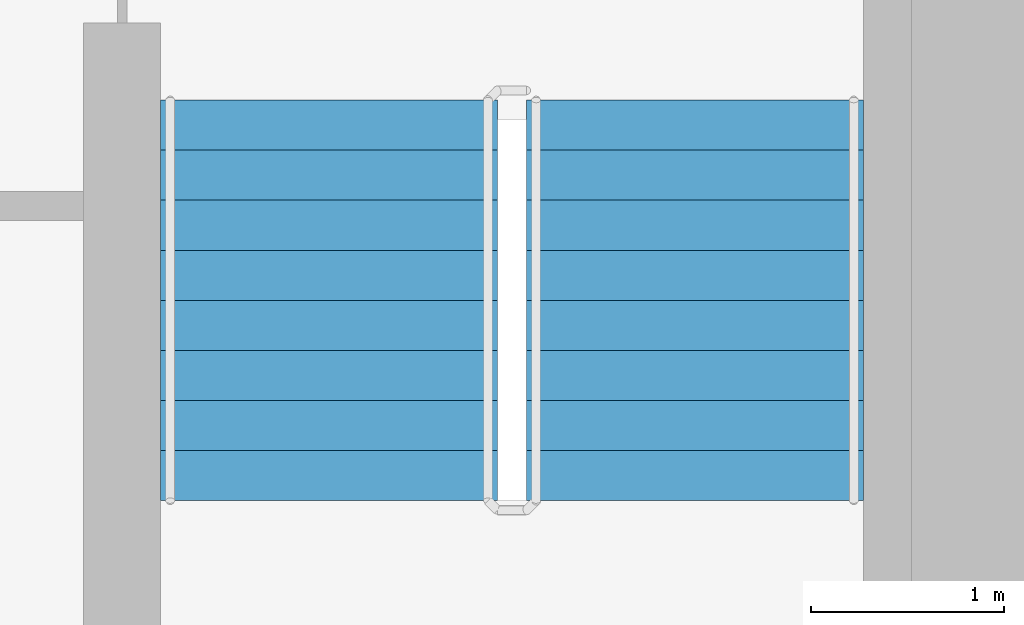
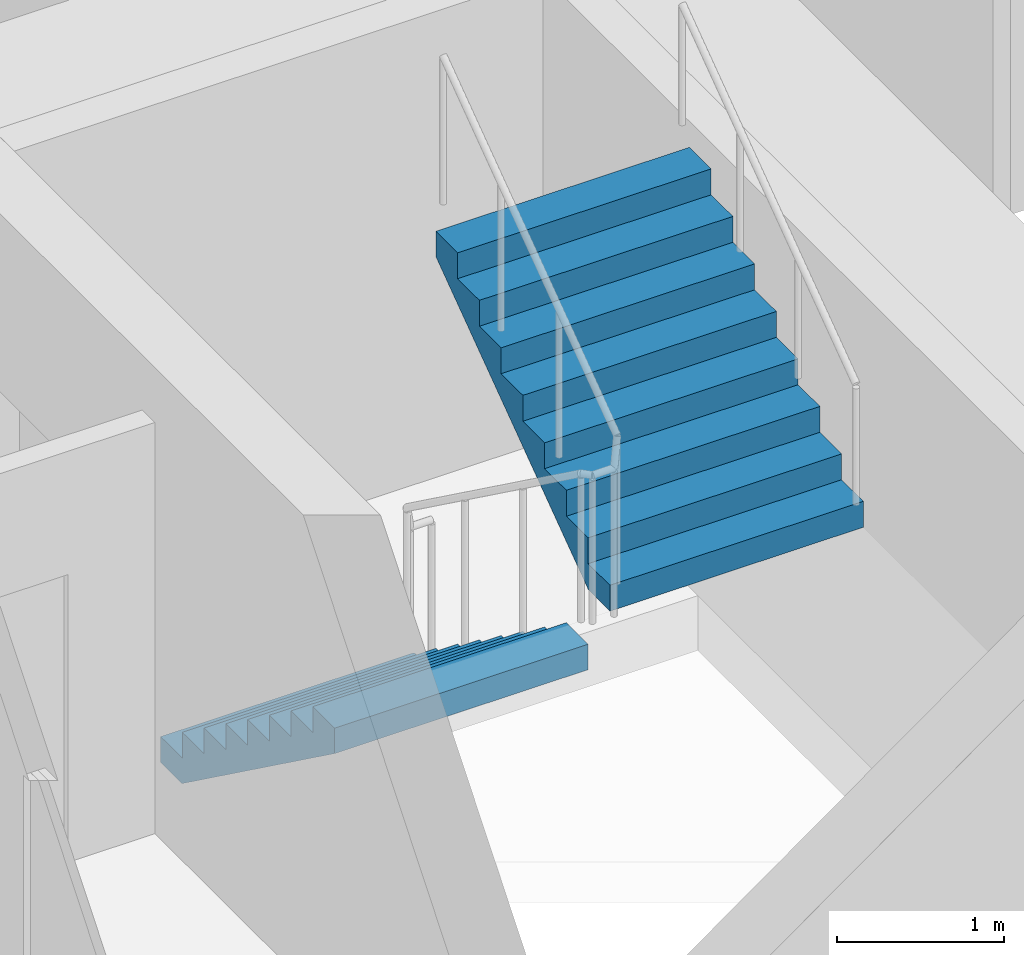
# One storey, part 16 of 20: 2 stair flights, 1 element without a shape of its own.
"""IFC4 building model written with IfcOpenShell, lengths in metres."""

from ifc_helpers import new_model, si_unit, direction, frame, origin, place, context, subcontext, project, spatial, faceted_brep, material, type_object, element, aggregate, save


model = new_model("IFC4")

# Units and contexts
model_context = context("Model", 3, precision=1e-05, world=origin(), true_north=direction((0.0, 1.0)))
body_context = subcontext(model_context, "Body", "Model", "MODEL_VIEW")
ifc_project = project(units=[si_unit("LENGTHUNIT", "METRE"), si_unit("AREAUNIT", "SQUARE_METRE"), si_unit("VOLUMEUNIT", "CUBIC_METRE"), si_unit("PLANEANGLEUNIT", "RADIAN"), si_unit("MASSUNIT", "GRAM", prefix="KILO")], contexts=[model_context])

# Site, building, storey
site_placement = place(None, origin())
site = spatial("IfcSite", under=ifc_project, at=site_placement, CompositionType="ELEMENT")
building_placement = place(site_placement, origin())
building = spatial("IfcBuilding", under=site, at=building_placement, Name="Ipe Terrace Towers", CompositionType="ELEMENT")
storey_placement = place(building_placement, frame((0.0, 0.0, 120.800048828125)))
storey = spatial("IfcBuildingStorey", under=building, at=storey_placement, Name="L33", CompositionType="ELEMENT", Elevation=120.800048828125)

# Stair, stair flights
ifc_material_1 = material(Name="Concrete C30/37", Category="concrete")
stair_type = type_object("IfcStairType", Name="Protected exit stair", PredefinedType="HALF_TURN_STAIR", material=ifc_material_1)
stair_placement = place(storey_placement, origin())
stair = element("IfcStair", 1, at=stair_placement, inside=storey, type_object=stair_type, Name="L33 Exit stair T2-C2", PredefinedType="HALF_TURN_STAIR")
ifc_material_2 = material(Name="Concrete C30/37", Category="concrete")
stair_flight_type = type_object("IfcStairFlightType", Name="Exit stair flight 1750", PredefinedType="STRAIGHT", material=ifc_material_2)
stair_flight_1_placement = place(storey_placement, frame((38.77490234375, -9.699951171875, 0.0), z_axis=(0.0, 0.0, 1.0), x_axis=(0.0, -1.0, 0.0)))
stair_flight_1 = element("IfcStairFlight", 2, at=stair_flight_1_placement, type_object=stair_flight_type, Name="T2-ST2 flight 1", NumberOfRisers=9, NumberOfTreads=8, PredefinedType="STRAIGHT", RiserHeight=0.188888889, TreadLength=0.26, context=body_context, shape_type="Brep", body=[
    faceted_brep([(0.255126953125, -0.875, 0.0), (2.080078125, -0.875, 1.325927734375), (2.080078125, -0.875, 1.51123046875), (1.820068359375, -0.875, 1.51123046875), (1.820068359375, -0.875, 1.322265625), (1.56005859375, -0.875, 1.322265625), (1.56005859375, -0.875, 1.13330078125), (1.300048828125, -0.875, 1.13330078125), (1.300048828125, -0.875, 0.9443359375), (1.0400390625, -0.875, 0.9443359375), (1.0400390625, -0.875, 0.755615234375), (0.780029296875, -0.875, 0.755615234375), (0.780029296875, -0.875, 0.566650390625), (0.52001953125, -0.875, 0.566650390625), (0.52001953125, -0.875, 0.377685546875), (0.260009765625, -0.875, 0.377685546875), (0.260009765625, -0.875, 0.18896484375), (0.0, -0.875, 0.18896484375), (0.0, -0.875, 0.0), (0.0, 0.875, 0.0), (0.0, 0.875, 0.18896484375), (0.260009765625, 0.875, 0.18896484375), (0.260009765625, 0.875, 0.377685546875), (0.52001953125, 0.875, 0.377685546875), (0.52001953125, 0.875, 0.566650390625), (0.780029296875, 0.875, 0.566650390625), (0.780029296875, 0.875, 0.755615234375), (1.0400390625, 0.875, 0.755615234375), (1.0400390625, 0.875, 0.9443359375), (1.300048828125, 0.875, 0.9443359375), (1.300048828125, 0.875, 1.13330078125), (1.56005859375, 0.875, 1.13330078125), (1.56005859375, 0.875, 1.322265625), (1.820068359375, 0.875, 1.322265625), (1.820068359375, 0.875, 1.51123046875), (2.080078125, 0.875, 1.51123046875), (2.080078125, 0.875, 1.325927734375), (0.255126953125, 0.875, 0.0), (0.0, -0.300048828125, 0.18896484375), (0.0, -0.1201171875, 0.18896484375), (0.0, -0.06005859375, 0.18896484375), (0.0, -0.030029296875, 0.18896484375), (0.0, -0.010009765625, 0.18896484375), (0.0, 0.0, 0.18896484375), (0.0, 0.010009765625, 0.18896484375), (0.0, 0.030029296875, 0.18896484375), (0.0, 0.06005859375, 0.18896484375), (0.0, 0.1201171875, 0.18896484375), (0.0, 0.300048828125, 0.18896484375), (0.0, 0.300048828125, 0.0), (0.0, 0.1201171875, 0.0), (0.0, 0.06005859375, 0.0), (0.0, 0.030029296875, 0.0), (0.0, 0.010009765625, 0.0), (0.0, 0.0, 0.0), (0.0, -0.010009765625, 0.0), (0.0, -0.030029296875, 0.0), (0.0, -0.06005859375, 0.0), (0.0, -0.1201171875, 0.0), (0.0, -0.300048828125, 0.0), (0.260009765625, -0.300048828125, 0.18896484375), (0.260009765625, -0.1201171875, 0.18896484375), (0.260009765625, -0.06005859375, 0.18896484375), (0.260009765625, -0.030029296875, 0.18896484375), (0.260009765625, -0.010009765625, 0.18896484375), (0.260009765625, 0.0, 0.18896484375), (0.260009765625, 0.010009765625, 0.18896484375), (0.260009765625, 0.030029296875, 0.18896484375), (0.260009765625, 0.06005859375, 0.18896484375), (0.260009765625, 0.1201171875, 0.18896484375), (0.260009765625, 0.300048828125, 0.18896484375), (0.260009765625, -0.300048828125, 0.377685546875), (0.260009765625, -0.1201171875, 0.377685546875), (0.260009765625, -0.06005859375, 0.377685546875), (0.260009765625, -0.030029296875, 0.377685546875), (0.260009765625, -0.010009765625, 0.377685546875), (0.260009765625, 0.0, 0.377685546875), (0.260009765625, 0.010009765625, 0.377685546875), (0.260009765625, 0.030029296875, 0.377685546875), (0.260009765625, 0.06005859375, 0.377685546875), (0.260009765625, 0.1201171875, 0.377685546875), (0.260009765625, 0.300048828125, 0.377685546875), (0.52001953125, -0.300048828125, 0.377685546875), (0.52001953125, -0.1201171875, 0.377685546875), (0.52001953125, -0.06005859375, 0.377685546875), (0.52001953125, -0.030029296875, 0.377685546875), (0.52001953125, -0.010009765625, 0.377685546875), (0.52001953125, 0.0, 0.377685546875), (0.52001953125, 0.010009765625, 0.377685546875), (0.52001953125, 0.030029296875, 0.377685546875), (0.52001953125, 0.06005859375, 0.377685546875), (0.52001953125, 0.1201171875, 0.377685546875), (0.52001953125, 0.300048828125, 0.377685546875), (0.52001953125, -0.300048828125, 0.566650390625), (0.52001953125, -0.1201171875, 0.566650390625), (0.52001953125, -0.06005859375, 0.566650390625), (0.52001953125, -0.030029296875, 0.566650390625), (0.52001953125, -0.010009765625, 0.566650390625), (0.52001953125, 0.0, 0.566650390625), (0.52001953125, 0.010009765625, 0.566650390625), (0.52001953125, 0.030029296875, 0.566650390625), (0.52001953125, 0.06005859375, 0.566650390625), (0.52001953125, 0.1201171875, 0.566650390625), (0.52001953125, 0.300048828125, 0.566650390625), (0.780029296875, -0.300048828125, 0.566650390625), (0.780029296875, -0.1201171875, 0.566650390625), (0.780029296875, -0.06005859375, 0.566650390625), (0.780029296875, -0.030029296875, 0.566650390625), (0.780029296875, -0.010009765625, 0.566650390625), (0.780029296875, 0.0, 0.566650390625), (0.780029296875, 0.010009765625, 0.566650390625), (0.780029296875, 0.030029296875, 0.566650390625), (0.780029296875, 0.06005859375, 0.566650390625), (0.780029296875, 0.1201171875, 0.566650390625), (0.780029296875, 0.300048828125, 0.566650390625), (0.780029296875, -0.300048828125, 0.755615234375), (0.780029296875, -0.1201171875, 0.755615234375), (0.780029296875, -0.06005859375, 0.755615234375), (0.780029296875, -0.030029296875, 0.755615234375), (0.780029296875, -0.010009765625, 0.755615234375), (0.780029296875, 0.0, 0.755615234375), (0.780029296875, 0.010009765625, 0.755615234375), (0.780029296875, 0.030029296875, 0.755615234375), (0.780029296875, 0.06005859375, 0.755615234375), (0.780029296875, 0.1201171875, 0.755615234375), (0.780029296875, 0.300048828125, 0.755615234375), (1.0400390625, -0.300048828125, 0.755615234375), (1.0400390625, -0.1201171875, 0.755615234375), (1.0400390625, -0.06005859375, 0.755615234375), (1.0400390625, -0.030029296875, 0.755615234375), (1.0400390625, -0.010009765625, 0.755615234375), (1.0400390625, 0.0, 0.755615234375), (1.0400390625, 0.010009765625, 0.755615234375), (1.0400390625, 0.030029296875, 0.755615234375), (1.0400390625, 0.06005859375, 0.755615234375), (1.0400390625, 0.1201171875, 0.755615234375), (1.0400390625, 0.300048828125, 0.755615234375), (1.0400390625, -0.300048828125, 0.9443359375), (1.0400390625, -0.1201171875, 0.9443359375), (1.0400390625, -0.06005859375, 0.9443359375), (1.0400390625, -0.030029296875, 0.9443359375), (1.0400390625, -0.010009765625, 0.9443359375), (1.0400390625, 0.0, 0.9443359375), (1.0400390625, 0.010009765625, 0.9443359375), (1.0400390625, 0.030029296875, 0.9443359375), (1.0400390625, 0.06005859375, 0.9443359375), (1.0400390625, 0.1201171875, 0.9443359375), (1.0400390625, 0.300048828125, 0.9443359375), (1.300048828125, -0.300048828125, 0.9443359375), (1.300048828125, -0.1201171875, 0.9443359375), (1.300048828125, -0.06005859375, 0.9443359375), (1.300048828125, -0.030029296875, 0.9443359375), (1.300048828125, -0.010009765625, 0.9443359375), (1.300048828125, 0.0, 0.9443359375), (1.300048828125, 0.010009765625, 0.9443359375), (1.300048828125, 0.030029296875, 0.9443359375), (1.300048828125, 0.06005859375, 0.9443359375), (1.300048828125, 0.1201171875, 0.9443359375), (1.300048828125, 0.300048828125, 0.9443359375), (1.300048828125, -0.300048828125, 1.13330078125), (1.300048828125, -0.1201171875, 1.13330078125), (1.300048828125, -0.06005859375, 1.13330078125), (1.300048828125, -0.030029296875, 1.13330078125), (1.300048828125, -0.010009765625, 1.13330078125), (1.300048828125, 0.0, 1.13330078125), (1.300048828125, 0.010009765625, 1.13330078125), (1.300048828125, 0.030029296875, 1.13330078125), (1.300048828125, 0.06005859375, 1.13330078125), (1.300048828125, 0.1201171875, 1.13330078125), (1.300048828125, 0.300048828125, 1.13330078125), (1.56005859375, -0.300048828125, 1.13330078125), (1.56005859375, -0.1201171875, 1.13330078125), (1.56005859375, -0.06005859375, 1.13330078125), (1.56005859375, -0.030029296875, 1.13330078125), (1.56005859375, -0.010009765625, 1.13330078125), (1.56005859375, 0.0, 1.13330078125), (1.56005859375, 0.010009765625, 1.13330078125), (1.56005859375, 0.030029296875, 1.13330078125), (1.56005859375, 0.06005859375, 1.13330078125), (1.56005859375, 0.1201171875, 1.13330078125), (1.56005859375, 0.300048828125, 1.13330078125), (1.56005859375, -0.300048828125, 1.322265625), (1.56005859375, -0.1201171875, 1.322265625), (1.56005859375, -0.06005859375, 1.322265625), (1.56005859375, -0.030029296875, 1.322265625), (1.56005859375, -0.010009765625, 1.322265625), (1.56005859375, 0.0, 1.322265625), (1.56005859375, 0.010009765625, 1.322265625), (1.56005859375, 0.030029296875, 1.322265625), (1.56005859375, 0.06005859375, 1.322265625), (1.56005859375, 0.1201171875, 1.322265625), (1.56005859375, 0.300048828125, 1.322265625), (1.820068359375, -0.300048828125, 1.322265625), (1.820068359375, -0.1201171875, 1.322265625), (1.820068359375, -0.06005859375, 1.322265625), (1.820068359375, -0.030029296875, 1.322265625), (1.820068359375, -0.010009765625, 1.322265625), (1.820068359375, 0.0, 1.322265625), (1.820068359375, 0.010009765625, 1.322265625), (1.820068359375, 0.030029296875, 1.322265625), (1.820068359375, 0.06005859375, 1.322265625), (1.820068359375, 0.1201171875, 1.322265625), (1.820068359375, 0.300048828125, 1.322265625), (1.820068359375, -0.300048828125, 1.51123046875), (1.820068359375, -0.1201171875, 1.51123046875), (1.820068359375, -0.06005859375, 1.51123046875), (1.820068359375, -0.030029296875, 1.51123046875), (1.820068359375, -0.010009765625, 1.51123046875), (1.820068359375, 0.0, 1.51123046875), (1.820068359375, 0.010009765625, 1.51123046875), (1.820068359375, 0.030029296875, 1.51123046875), (1.820068359375, 0.06005859375, 1.51123046875), (1.820068359375, 0.1201171875, 1.51123046875), (1.820068359375, 0.300048828125, 1.51123046875), (2.080078125, -0.300048828125, 1.51123046875), (2.080078125, -0.1201171875, 1.51123046875), (2.080078125, -0.06005859375, 1.51123046875), (2.080078125, -0.030029296875, 1.51123046875), (2.080078125, -0.010009765625, 1.51123046875), (2.080078125, 0.0, 1.51123046875), (2.080078125, 0.010009765625, 1.51123046875), (2.080078125, 0.030029296875, 1.51123046875), (2.080078125, 0.06005859375, 1.51123046875), (2.080078125, 0.1201171875, 1.51123046875), (2.080078125, 0.300048828125, 1.51123046875), (2.080078125, -0.300048828125, 1.325927734375), (2.080078125, -0.1201171875, 1.325927734375), (2.080078125, -0.06005859375, 1.325927734375), (2.080078125, -0.030029296875, 1.325927734375), (2.080078125, -0.010009765625, 1.325927734375), (2.080078125, 0.0, 1.325927734375), (2.080078125, 0.010009765625, 1.325927734375), (2.080078125, 0.030029296875, 1.325927734375), (2.080078125, 0.06005859375, 1.325927734375), (2.080078125, 0.1201171875, 1.325927734375), (2.080078125, 0.300048828125, 1.325927734375), (0.255126953125, -0.300048828125, 0.0), (0.255126953125, -0.1201171875, 0.0), (0.255126953125, -0.06005859375, 0.0), (0.255126953125, -0.030029296875, 0.0), (0.255126953125, -0.010009765625, 0.0), (0.255126953125, 0.0, 0.0), (0.255126953125, 0.010009765625, 0.0), (0.255126953125, 0.030029296875, 0.0), (0.255126953125, 0.06005859375, 0.0), (0.255126953125, 0.1201171875, 0.0), (0.255126953125, 0.300048828125, 0.0)], [[[0, 1, 2, 3, 4, 5, 6, 7, 8, 9, 10, 11, 12, 13, 14, 15, 16, 17, 18]], [[19, 20, 21, 22, 23, 24, 25, 26, 27, 28, 29, 30, 31, 32, 33, 34, 35, 36, 37]], [[17, 38, 39, 40, 41, 42, 43, 44, 45, 46, 47, 48, 20, 19, 49, 50, 51, 52, 53, 54, 55, 56, 57, 58, 59, 18]], [[16, 60, 61, 62, 63, 64, 65, 66, 67, 68, 69, 70, 21, 20, 48, 47, 46, 45, 44, 43, 42, 41, 40, 39, 38, 17]], [[15, 71, 72, 73, 74, 75, 76, 77, 78, 79, 80, 81, 22, 21, 70, 69, 68, 67, 66, 65, 64, 63, 62, 61, 60, 16]], [[14, 82, 83, 84, 85, 86, 87, 88, 89, 90, 91, 92, 23, 22, 81, 80, 79, 78, 77, 76, 75, 74, 73, 72, 71, 15]], [[13, 93, 94, 95, 96, 97, 98, 99, 100, 101, 102, 103, 24, 23, 92, 91, 90, 89, 88, 87, 86, 85, 84, 83, 82, 14]], [[12, 104, 105, 106, 107, 108, 109, 110, 111, 112, 113, 114, 25, 24, 103, 102, 101, 100, 99, 98, 97, 96, 95, 94, 93, 13]], [[11, 115, 116, 117, 118, 119, 120, 121, 122, 123, 124, 125, 26, 25, 114, 113, 112, 111, 110, 109, 108, 107, 106, 105, 104, 12]], [[10, 126, 127, 128, 129, 130, 131, 132, 133, 134, 135, 136, 27, 26, 125, 124, 123, 122, 121, 120, 119, 118, 117, 116, 115, 11]], [[9, 137, 138, 139, 140, 141, 142, 143, 144, 145, 146, 147, 28, 27, 136, 135, 134, 133, 132, 131, 130, 129, 128, 127, 126, 10]], [[8, 148, 149, 150, 151, 152, 153, 154, 155, 156, 157, 158, 29, 28, 147, 146, 145, 144, 143, 142, 141, 140, 139, 138, 137, 9]], [[7, 159, 160, 161, 162, 163, 164, 165, 166, 167, 168, 169, 30, 29, 158, 157, 156, 155, 154, 153, 152, 151, 150, 149, 148, 8]], [[6, 170, 171, 172, 173, 174, 175, 176, 177, 178, 179, 180, 31, 30, 169, 168, 167, 166, 165, 164, 163, 162, 161, 160, 159, 7]], [[5, 181, 182, 183, 184, 185, 186, 187, 188, 189, 190, 191, 32, 31, 180, 179, 178, 177, 176, 175, 174, 173, 172, 171, 170, 6]], [[4, 192, 193, 194, 195, 196, 197, 198, 199, 200, 201, 202, 33, 32, 191, 190, 189, 188, 187, 186, 185, 184, 183, 182, 181, 5]], [[3, 203, 204, 205, 206, 207, 208, 209, 210, 211, 212, 213, 34, 33, 202, 201, 200, 199, 198, 197, 196, 195, 194, 193, 192, 4]], [[2, 214, 215, 216, 217, 218, 219, 220, 221, 222, 223, 224, 35, 34, 213, 212, 211, 210, 209, 208, 207, 206, 205, 204, 203, 3]], [[1, 225, 226, 227, 228, 229, 230, 231, 232, 233, 234, 235, 36, 35, 224, 223, 222, 221, 220, 219, 218, 217, 216, 215, 214, 2]], [[0, 236, 237, 238, 239, 240, 241, 242, 243, 244, 245, 246, 37, 36, 235, 234, 233, 232, 231, 230, 229, 228, 227, 226, 225, 1]], [[18, 59, 58, 57, 56, 55, 54, 53, 52, 51, 50, 49, 19, 37, 246, 245, 244, 243, 242, 241, 240, 239, 238, 237, 236, 0]]]),
])
stair_flight_2_placement = place(storey_placement, frame((40.675048828125, -11.780029296875, 1.699951171875), z_axis=(0.0, 0.0, 1.0), x_axis=(0.0, 1.0, 0.0)))
stair_flight_2 = element("IfcStairFlight", 3, at=stair_flight_2_placement, type_object=stair_flight_type, Name="T2-ST2 flight 2", NumberOfRisers=9, NumberOfTreads=8, PredefinedType="STRAIGHT", RiserHeight=0.188888889, TreadLength=0.26, context=body_context, shape_type="Brep", body=[
    faceted_brep([(0.255126953125, -0.875, 0.0), (2.080078125, -0.875, 1.325927734375), (2.080078125, -0.875, 1.51123046875), (1.820068359375, -0.875, 1.51123046875), (1.820068359375, -0.875, 1.322265625), (1.56005859375, -0.875, 1.322265625), (1.56005859375, -0.875, 1.13330078125), (1.300048828125, -0.875, 1.13330078125), (1.300048828125, -0.875, 0.9443359375), (1.0400390625, -0.875, 0.9443359375), (1.0400390625, -0.875, 0.755615234375), (0.780029296875, -0.875, 0.755615234375), (0.780029296875, -0.875, 0.566650390625), (0.52001953125, -0.875, 0.566650390625), (0.52001953125, -0.875, 0.377685546875), (0.260009765625, -0.875, 0.377685546875), (0.260009765625, -0.875, 0.18896484375), (0.0, -0.875, 0.18896484375), (0.0, -0.875, 0.0), (0.0, 0.875, 0.0), (0.0, 0.875, 0.18896484375), (0.260009765625, 0.875, 0.18896484375), (0.260009765625, 0.875, 0.377685546875), (0.52001953125, 0.875, 0.377685546875), (0.52001953125, 0.875, 0.566650390625), (0.780029296875, 0.875, 0.566650390625), (0.780029296875, 0.875, 0.755615234375), (1.0400390625, 0.875, 0.755615234375), (1.0400390625, 0.875, 0.9443359375), (1.300048828125, 0.875, 0.9443359375), (1.300048828125, 0.875, 1.13330078125), (1.56005859375, 0.875, 1.13330078125), (1.56005859375, 0.875, 1.322265625), (1.820068359375, 0.875, 1.322265625), (1.820068359375, 0.875, 1.51123046875), (2.080078125, 0.875, 1.51123046875), (2.080078125, 0.875, 1.325927734375), (0.255126953125, 0.875, 0.0), (0.0, -0.300048828125, 0.18896484375), (0.0, -0.1201171875, 0.18896484375), (0.0, -0.06005859375, 0.18896484375), (0.0, -0.030029296875, 0.18896484375), (0.0, -0.010009765625, 0.18896484375), (0.0, 0.0, 0.18896484375), (0.0, 0.010009765625, 0.18896484375), (0.0, 0.030029296875, 0.18896484375), (0.0, 0.06005859375, 0.18896484375), (0.0, 0.1201171875, 0.18896484375), (0.0, 0.300048828125, 0.18896484375), (0.0, 0.300048828125, 0.0), (0.0, 0.1201171875, 0.0), (0.0, 0.06005859375, 0.0), (0.0, 0.030029296875, 0.0), (0.0, 0.010009765625, 0.0), (0.0, 0.0, 0.0), (0.0, -0.010009765625, 0.0), (0.0, -0.030029296875, 0.0), (0.0, -0.06005859375, 0.0), (0.0, -0.1201171875, 0.0), (0.0, -0.300048828125, 0.0), (0.260009765625, -0.300048828125, 0.18896484375), (0.260009765625, -0.1201171875, 0.18896484375), (0.260009765625, -0.06005859375, 0.18896484375), (0.260009765625, -0.030029296875, 0.18896484375), (0.260009765625, -0.010009765625, 0.18896484375), (0.260009765625, 0.0, 0.18896484375), (0.260009765625, 0.010009765625, 0.18896484375), (0.260009765625, 0.030029296875, 0.18896484375), (0.260009765625, 0.06005859375, 0.18896484375), (0.260009765625, 0.1201171875, 0.18896484375), (0.260009765625, 0.300048828125, 0.18896484375), (0.260009765625, -0.300048828125, 0.377685546875), (0.260009765625, -0.1201171875, 0.377685546875), (0.260009765625, -0.06005859375, 0.377685546875), (0.260009765625, -0.030029296875, 0.377685546875), (0.260009765625, -0.010009765625, 0.377685546875), (0.260009765625, 0.0, 0.377685546875), (0.260009765625, 0.010009765625, 0.377685546875), (0.260009765625, 0.030029296875, 0.377685546875), (0.260009765625, 0.06005859375, 0.377685546875), (0.260009765625, 0.1201171875, 0.377685546875), (0.260009765625, 0.300048828125, 0.377685546875), (0.52001953125, -0.300048828125, 0.377685546875), (0.52001953125, -0.1201171875, 0.377685546875), (0.52001953125, -0.06005859375, 0.377685546875), (0.52001953125, -0.030029296875, 0.377685546875), (0.52001953125, -0.010009765625, 0.377685546875), (0.52001953125, 0.0, 0.377685546875), (0.52001953125, 0.010009765625, 0.377685546875), (0.52001953125, 0.030029296875, 0.377685546875), (0.52001953125, 0.06005859375, 0.377685546875), (0.52001953125, 0.1201171875, 0.377685546875), (0.52001953125, 0.300048828125, 0.377685546875), (0.52001953125, -0.300048828125, 0.566650390625), (0.52001953125, -0.1201171875, 0.566650390625), (0.52001953125, -0.06005859375, 0.566650390625), (0.52001953125, -0.030029296875, 0.566650390625), (0.52001953125, -0.010009765625, 0.566650390625), (0.52001953125, 0.0, 0.566650390625), (0.52001953125, 0.010009765625, 0.566650390625), (0.52001953125, 0.030029296875, 0.566650390625), (0.52001953125, 0.06005859375, 0.566650390625), (0.52001953125, 0.1201171875, 0.566650390625), (0.52001953125, 0.300048828125, 0.566650390625), (0.780029296875, -0.300048828125, 0.566650390625), (0.780029296875, -0.1201171875, 0.566650390625), (0.780029296875, -0.06005859375, 0.566650390625), (0.780029296875, -0.030029296875, 0.566650390625), (0.780029296875, -0.010009765625, 0.566650390625), (0.780029296875, 0.0, 0.566650390625), (0.780029296875, 0.010009765625, 0.566650390625), (0.780029296875, 0.030029296875, 0.566650390625), (0.780029296875, 0.06005859375, 0.566650390625), (0.780029296875, 0.1201171875, 0.566650390625), (0.780029296875, 0.300048828125, 0.566650390625), (0.780029296875, -0.300048828125, 0.755615234375), (0.780029296875, -0.1201171875, 0.755615234375), (0.780029296875, -0.06005859375, 0.755615234375), (0.780029296875, -0.030029296875, 0.755615234375), (0.780029296875, -0.010009765625, 0.755615234375), (0.780029296875, 0.0, 0.755615234375), (0.780029296875, 0.010009765625, 0.755615234375), (0.780029296875, 0.030029296875, 0.755615234375), (0.780029296875, 0.06005859375, 0.755615234375), (0.780029296875, 0.1201171875, 0.755615234375), (0.780029296875, 0.300048828125, 0.755615234375), (1.0400390625, -0.300048828125, 0.755615234375), (1.0400390625, -0.1201171875, 0.755615234375), (1.0400390625, -0.06005859375, 0.755615234375), (1.0400390625, -0.030029296875, 0.755615234375), (1.0400390625, -0.010009765625, 0.755615234375), (1.0400390625, 0.0, 0.755615234375), (1.0400390625, 0.010009765625, 0.755615234375), (1.0400390625, 0.030029296875, 0.755615234375), (1.0400390625, 0.06005859375, 0.755615234375), (1.0400390625, 0.1201171875, 0.755615234375), (1.0400390625, 0.300048828125, 0.755615234375), (1.0400390625, -0.300048828125, 0.9443359375), (1.0400390625, -0.1201171875, 0.9443359375), (1.0400390625, -0.06005859375, 0.9443359375), (1.0400390625, -0.030029296875, 0.9443359375), (1.0400390625, -0.010009765625, 0.9443359375), (1.0400390625, 0.0, 0.9443359375), (1.0400390625, 0.010009765625, 0.9443359375), (1.0400390625, 0.030029296875, 0.9443359375), (1.0400390625, 0.06005859375, 0.9443359375), (1.0400390625, 0.1201171875, 0.9443359375), (1.0400390625, 0.300048828125, 0.9443359375), (1.300048828125, -0.300048828125, 0.9443359375), (1.300048828125, -0.1201171875, 0.9443359375), (1.300048828125, -0.06005859375, 0.9443359375), (1.300048828125, -0.030029296875, 0.9443359375), (1.300048828125, -0.010009765625, 0.9443359375), (1.300048828125, 0.0, 0.9443359375), (1.300048828125, 0.010009765625, 0.9443359375), (1.300048828125, 0.030029296875, 0.9443359375), (1.300048828125, 0.06005859375, 0.9443359375), (1.300048828125, 0.1201171875, 0.9443359375), (1.300048828125, 0.300048828125, 0.9443359375), (1.300048828125, -0.300048828125, 1.13330078125), (1.300048828125, -0.1201171875, 1.13330078125), (1.300048828125, -0.06005859375, 1.13330078125), (1.300048828125, -0.030029296875, 1.13330078125), (1.300048828125, -0.010009765625, 1.13330078125), (1.300048828125, 0.0, 1.13330078125), (1.300048828125, 0.010009765625, 1.13330078125), (1.300048828125, 0.030029296875, 1.13330078125), (1.300048828125, 0.06005859375, 1.13330078125), (1.300048828125, 0.1201171875, 1.13330078125), (1.300048828125, 0.300048828125, 1.13330078125), (1.56005859375, -0.300048828125, 1.13330078125), (1.56005859375, -0.1201171875, 1.13330078125), (1.56005859375, -0.06005859375, 1.13330078125), (1.56005859375, -0.030029296875, 1.13330078125), (1.56005859375, -0.010009765625, 1.13330078125), (1.56005859375, 0.0, 1.13330078125), (1.56005859375, 0.010009765625, 1.13330078125), (1.56005859375, 0.030029296875, 1.13330078125), (1.56005859375, 0.06005859375, 1.13330078125), (1.56005859375, 0.1201171875, 1.13330078125), (1.56005859375, 0.300048828125, 1.13330078125), (1.56005859375, -0.300048828125, 1.322265625), (1.56005859375, -0.1201171875, 1.322265625), (1.56005859375, -0.06005859375, 1.322265625), (1.56005859375, -0.030029296875, 1.322265625), (1.56005859375, -0.010009765625, 1.322265625), (1.56005859375, 0.0, 1.322265625), (1.56005859375, 0.010009765625, 1.322265625), (1.56005859375, 0.030029296875, 1.322265625), (1.56005859375, 0.06005859375, 1.322265625), (1.56005859375, 0.1201171875, 1.322265625), (1.56005859375, 0.300048828125, 1.322265625), (1.820068359375, -0.300048828125, 1.322265625), (1.820068359375, -0.1201171875, 1.322265625), (1.820068359375, -0.06005859375, 1.322265625), (1.820068359375, -0.030029296875, 1.322265625), (1.820068359375, -0.010009765625, 1.322265625), (1.820068359375, 0.0, 1.322265625), (1.820068359375, 0.010009765625, 1.322265625), (1.820068359375, 0.030029296875, 1.322265625), (1.820068359375, 0.06005859375, 1.322265625), (1.820068359375, 0.1201171875, 1.322265625), (1.820068359375, 0.300048828125, 1.322265625), (1.820068359375, -0.300048828125, 1.51123046875), (1.820068359375, -0.1201171875, 1.51123046875), (1.820068359375, -0.06005859375, 1.51123046875), (1.820068359375, -0.030029296875, 1.51123046875), (1.820068359375, -0.010009765625, 1.51123046875), (1.820068359375, 0.0, 1.51123046875), (1.820068359375, 0.010009765625, 1.51123046875), (1.820068359375, 0.030029296875, 1.51123046875), (1.820068359375, 0.06005859375, 1.51123046875), (1.820068359375, 0.1201171875, 1.51123046875), (1.820068359375, 0.300048828125, 1.51123046875), (2.080078125, -0.300048828125, 1.51123046875), (2.080078125, -0.1201171875, 1.51123046875), (2.080078125, -0.06005859375, 1.51123046875), (2.080078125, -0.030029296875, 1.51123046875), (2.080078125, -0.010009765625, 1.51123046875), (2.080078125, 0.0, 1.51123046875), (2.080078125, 0.010009765625, 1.51123046875), (2.080078125, 0.030029296875, 1.51123046875), (2.080078125, 0.06005859375, 1.51123046875), (2.080078125, 0.1201171875, 1.51123046875), (2.080078125, 0.300048828125, 1.51123046875), (2.080078125, -0.300048828125, 1.325927734375), (2.080078125, -0.1201171875, 1.325927734375), (2.080078125, -0.06005859375, 1.325927734375), (2.080078125, -0.030029296875, 1.325927734375), (2.080078125, -0.010009765625, 1.325927734375), (2.080078125, 0.0, 1.325927734375), (2.080078125, 0.010009765625, 1.325927734375), (2.080078125, 0.030029296875, 1.325927734375), (2.080078125, 0.06005859375, 1.325927734375), (2.080078125, 0.1201171875, 1.325927734375), (2.080078125, 0.300048828125, 1.325927734375), (0.255126953125, -0.300048828125, 0.0), (0.255126953125, -0.1201171875, 0.0), (0.255126953125, -0.06005859375, 0.0), (0.255126953125, -0.030029296875, 0.0), (0.255126953125, -0.010009765625, 0.0), (0.255126953125, 0.0, 0.0), (0.255126953125, 0.010009765625, 0.0), (0.255126953125, 0.030029296875, 0.0), (0.255126953125, 0.06005859375, 0.0), (0.255126953125, 0.1201171875, 0.0), (0.255126953125, 0.300048828125, 0.0)], [[[0, 1, 2, 3, 4, 5, 6, 7, 8, 9, 10, 11, 12, 13, 14, 15, 16, 17, 18]], [[19, 20, 21, 22, 23, 24, 25, 26, 27, 28, 29, 30, 31, 32, 33, 34, 35, 36, 37]], [[17, 38, 39, 40, 41, 42, 43, 44, 45, 46, 47, 48, 20, 19, 49, 50, 51, 52, 53, 54, 55, 56, 57, 58, 59, 18]], [[16, 60, 61, 62, 63, 64, 65, 66, 67, 68, 69, 70, 21, 20, 48, 47, 46, 45, 44, 43, 42, 41, 40, 39, 38, 17]], [[15, 71, 72, 73, 74, 75, 76, 77, 78, 79, 80, 81, 22, 21, 70, 69, 68, 67, 66, 65, 64, 63, 62, 61, 60, 16]], [[14, 82, 83, 84, 85, 86, 87, 88, 89, 90, 91, 92, 23, 22, 81, 80, 79, 78, 77, 76, 75, 74, 73, 72, 71, 15]], [[13, 93, 94, 95, 96, 97, 98, 99, 100, 101, 102, 103, 24, 23, 92, 91, 90, 89, 88, 87, 86, 85, 84, 83, 82, 14]], [[12, 104, 105, 106, 107, 108, 109, 110, 111, 112, 113, 114, 25, 24, 103, 102, 101, 100, 99, 98, 97, 96, 95, 94, 93, 13]], [[11, 115, 116, 117, 118, 119, 120, 121, 122, 123, 124, 125, 26, 25, 114, 113, 112, 111, 110, 109, 108, 107, 106, 105, 104, 12]], [[10, 126, 127, 128, 129, 130, 131, 132, 133, 134, 135, 136, 27, 26, 125, 124, 123, 122, 121, 120, 119, 118, 117, 116, 115, 11]], [[9, 137, 138, 139, 140, 141, 142, 143, 144, 145, 146, 147, 28, 27, 136, 135, 134, 133, 132, 131, 130, 129, 128, 127, 126, 10]], [[8, 148, 149, 150, 151, 152, 153, 154, 155, 156, 157, 158, 29, 28, 147, 146, 145, 144, 143, 142, 141, 140, 139, 138, 137, 9]], [[7, 159, 160, 161, 162, 163, 164, 165, 166, 167, 168, 169, 30, 29, 158, 157, 156, 155, 154, 153, 152, 151, 150, 149, 148, 8]], [[6, 170, 171, 172, 173, 174, 175, 176, 177, 178, 179, 180, 31, 30, 169, 168, 167, 166, 165, 164, 163, 162, 161, 160, 159, 7]], [[5, 181, 182, 183, 184, 185, 186, 187, 188, 189, 190, 191, 32, 31, 180, 179, 178, 177, 176, 175, 174, 173, 172, 171, 170, 6]], [[4, 192, 193, 194, 195, 196, 197, 198, 199, 200, 201, 202, 33, 32, 191, 190, 189, 188, 187, 186, 185, 184, 183, 182, 181, 5]], [[3, 203, 204, 205, 206, 207, 208, 209, 210, 211, 212, 213, 34, 33, 202, 201, 200, 199, 198, 197, 196, 195, 194, 193, 192, 4]], [[2, 214, 215, 216, 217, 218, 219, 220, 221, 222, 223, 224, 35, 34, 213, 212, 211, 210, 209, 208, 207, 206, 205, 204, 203, 3]], [[1, 225, 226, 227, 228, 229, 230, 231, 232, 233, 234, 235, 36, 35, 224, 223, 222, 221, 220, 219, 218, 217, 216, 215, 214, 2]], [[0, 236, 237, 238, 239, 240, 241, 242, 243, 244, 245, 246, 37, 36, 235, 234, 233, 232, 231, 230, 229, 228, 227, 226, 225, 1]], [[18, 59, 58, 57, 56, 55, 54, 53, 52, 51, 50, 49, 19, 37, 246, 245, 244, 243, 242, 241, 240, 239, 238, 237, 236, 0]]]),
])
aggregate(stair, [stair_flight_1, stair_flight_2])

save(model, "model.ifc")
